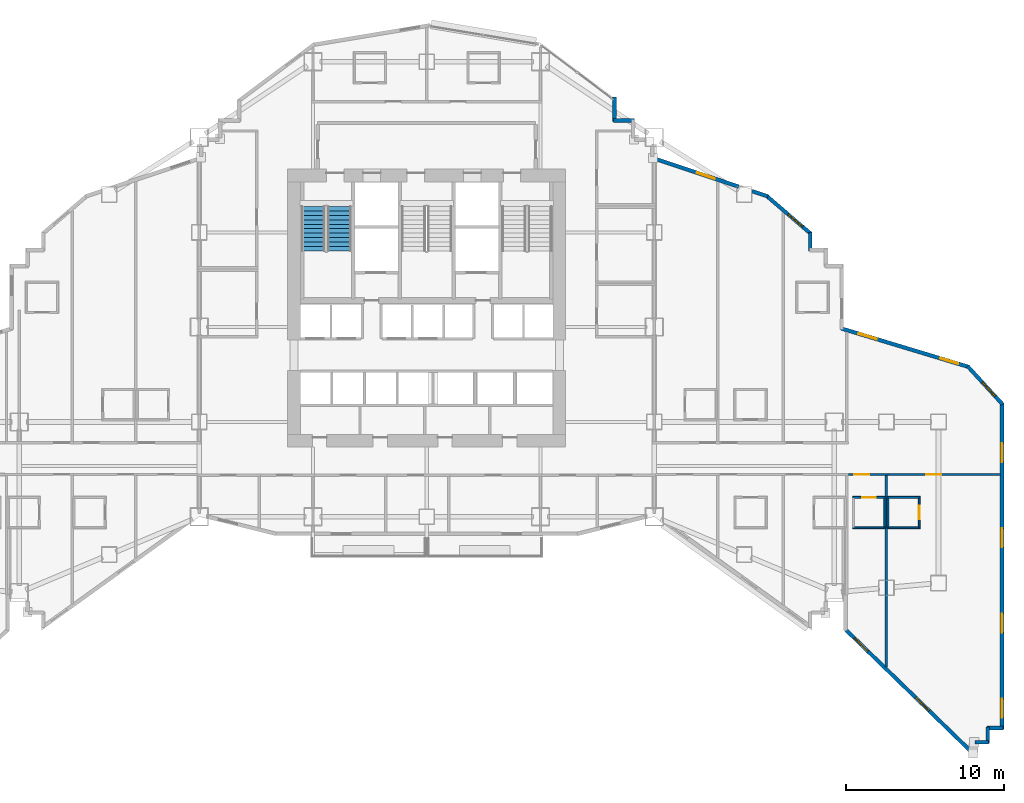
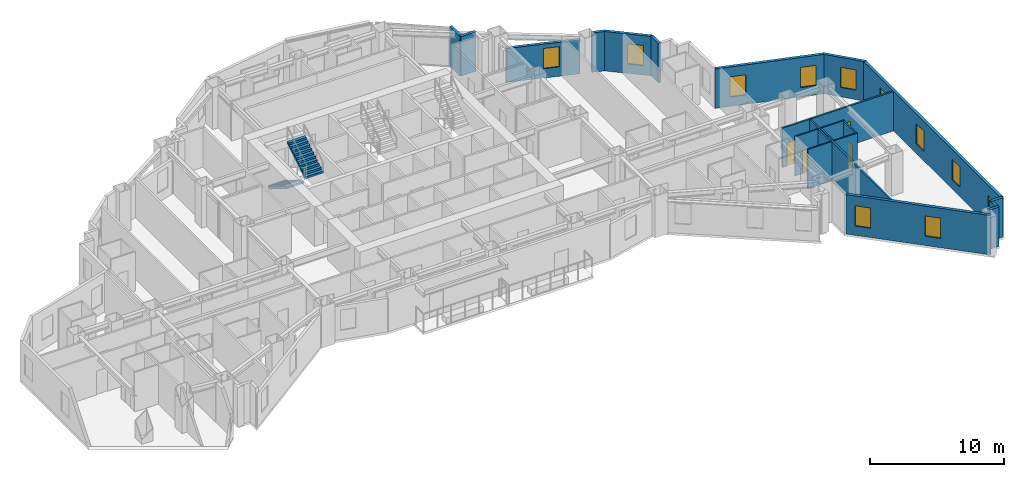
# One storey, part 12 of 18: 23 walls, 11 windows, 4 doors, 2 stair flights, 15 openings, 1 element without a shape of its own.
"""IFC4 building model written with IfcOpenShell, lengths in metres."""

from ifc_helpers import new_model, si_unit, direction, frame, frame_2d, origin, place, context, subcontext, project, spatial, polyline, rectangle, outline, extrude, material, layer, layer_set, type_object, element, fill, aggregate, save


model = new_model("IFC4")

# Units and contexts
model_context = context("Model", 3, precision=1e-05, world=origin(), true_north=direction((0.0, 1.0)))
body_context = subcontext(model_context, "Body", "Model", "MODEL_VIEW")
ifc_project = project(units=[si_unit("LENGTHUNIT", "METRE"), si_unit("AREAUNIT", "SQUARE_METRE"), si_unit("VOLUMEUNIT", "CUBIC_METRE"), si_unit("PLANEANGLEUNIT", "RADIAN"), si_unit("MASSUNIT", "GRAM", prefix="KILO")], contexts=[model_context])

# Site, building, storey
site_placement = place(None, origin())
site = spatial("IfcSite", under=ifc_project, at=site_placement, CompositionType="ELEMENT")
building_placement = place(site_placement, origin())
building = spatial("IfcBuilding", under=site, at=building_placement, Name="Haolan Belvedere Tower", CompositionType="ELEMENT")
storey_placement = place(building_placement, frame((0.0, 0.0, 51.39990234375)))
storey = spatial("IfcBuildingStorey", under=building, at=storey_placement, Name="L12", CompositionType="ELEMENT", Elevation=51.39990234375)

# Wall, openings, windows
ifc_material_1 = material(Name="Precast concrete C40/50", Category="concrete")
ifc_layer_1 = layer(ifc_material_1, 0.239990234375, Name="Precast concrete C40/50")
ifc_layer_set_1 = layer_set([ifc_layer_1], Name="Precast concrete C40/50")
wall_type_1 = type_object("IfcWallType", Name="WL-EXT-240", PredefinedType="SOLIDWALL", material=ifc_layer_set_1)
wall_1_placement = place(storey_placement, frame((64.966796875, 14.405517578125, 0.0), z_axis=(0.0, 0.0, 1.0), x_axis=(0.717210236805, -0.696856854901, 0.0)))
wall_1 = element("IfcWall", 1, at=wall_1_placement, inside=storey, type_object=wall_type_1, Name="L12 pale-metal exterior spandrel wall 21.1", PredefinedType="SOLIDWALL", context=body_context, shape_type="SweptSolid", body=[
    extrude(rectangle(XDim=11.1435546875, YDim=0.239990234375, at=frame_2d((5.57177734375, 0.0))), origin(), (0.0, 0.0, 1.0), 3.60009765625),
])
opening_1_placement = place(wall_1_placement, frame((0.699951171875, 0.0, 0.85009765625)))
opening_1 = element("IfcOpeningElement", 2, at=opening_1_placement, cuts=wall_1, Name="Opening W-01", PredefinedType="OPENING", context=body_context, shape_type="SweptSolid", body=[
    extrude(rectangle(XDim=1.199951171875, YDim=1.85009765625, at=frame_2d((0.60009765625, 0.925048828125))), frame((0.0, 0.1298828125, 0.0), z_axis=(0.0, -1.0, 0.0), x_axis=(1.0, 0.0, 0.0)), (0.0, 0.0, 1.0), 0.260009765625),
])
opening_2_placement = place(wall_1_placement, frame((6.10009765625, 0.0, 0.85009765625)))
opening_2 = element("IfcOpeningElement", 3, at=opening_2_placement, cuts=wall_1, Name="Opening W-01", PredefinedType="OPENING", context=body_context, shape_type="SweptSolid", body=[
    extrude(rectangle(XDim=1.199951171875, YDim=1.85009765625, at=frame_2d((0.60009765625, 0.925048828125))), frame((0.0, 0.1298828125, 0.0), z_axis=(0.0, -1.0, 0.0), x_axis=(1.0, 0.0, 0.0)), (0.0, 0.0, 1.0), 0.260009765625),
])
ifc_material_2 = material(Name="Anodised aluminium 6063-T6 and Low-E glass", Category="aluminium")
window_type = type_object("IfcWindowType", Name="WN-DECO-Z1", PartitioningType="SINGLE_PANEL", PredefinedType="WINDOW", material=ifc_material_2)
window_1_placement = place(opening_1_placement, origin())
window_1 = element("IfcWindow", 4, at=window_1_placement, inside=storey, type_object=window_type, Name="L12 Art Deco chevron window 1", OverallHeight=1.85009765625, OverallWidth=1.199951171875, PartitioningType="SINGLE_PANEL", PredefinedType="WINDOW", context=body_context, shape_type="SweptSolid", body=[
    extrude(rectangle(XDim=1.199951171875, YDim=1.85009765625, at=frame_2d((0.60009765625, 0.925048828125))), frame((0.0, 0.030029296875, 0.0), z_axis=(0.0, -1.0, 0.0), x_axis=(1.0, 0.0, 0.0)), (0.0, 0.0, 1.0), 0.06005859375),
])
fill(opening_1, window_1)
window_2_placement = place(opening_2_placement, origin())
window_2 = element("IfcWindow", 5, at=window_2_placement, inside=storey, type_object=window_type, Name="L12 Art Deco chevron window 2", OverallHeight=1.85009765625, OverallWidth=1.199951171875, PartitioningType="SINGLE_PANEL", PredefinedType="WINDOW", context=body_context, shape_type="SweptSolid", body=[
    extrude(rectangle(XDim=1.199951171875, YDim=1.85009765625, at=frame_2d((0.60009765625, 0.925048828125))), frame((0.0, 0.030029296875, 0.0), z_axis=(0.0, -1.0, 0.0), x_axis=(1.0, 0.0, 0.0)), (0.0, 0.0, 1.0), 0.06005859375),
])
fill(opening_2, window_2)

# Walls
wall_2_placement = place(storey_placement, frame((73.10498046875, 7.31689453125, 0.0), z_axis=(0.0, 0.0, 1.0), x_axis=(1.0, 0.0, 0.0)))
element("IfcWall", 6, at=wall_2_placement, inside=storey, type_object=wall_type_1, Name="L12 pale-metal exterior spandrel wall 23.1", PredefinedType="SOLIDWALL", context=body_context, shape_type="SweptSolid", body=[
    extrude(rectangle(XDim=0.8701171875, YDim=0.239990234375, at=frame_2d((0.43505859375, 0.0))), origin(), (0.0, 0.0, 1.0), 3.60009765625),
])
for number, where, z_axis, x_axis, name in (
    (7, (73.919921875, 7.261962890625, 0.0), (0.0, 0.0, 1.0), (0.0, 1.0, 0.0), "L12 pale-metal exterior spandrel wall 24.1"),
    (8, (73.864990234375, 8.217041015625, 0.0), (0.0, 0.0, 1.0), (1.0, 0.0, 0.0), "L12 pale-metal exterior spandrel wall 25.1"),
):
    element("IfcWall", number, at=place(storey_placement, frame(where, z_axis=z_axis, x_axis=x_axis)), inside=storey, type_object=wall_type_1, Name=name, PredefinedType="SOLIDWALL", context=body_context, shape_type="SweptSolid", body=[
        extrude(rectangle(XDim=1.010009765625, YDim=0.239990234375, at=frame_2d((0.5048828125, 0.0))), origin(), (0.0, 0.0, 1.0), 3.60009765625),
    ])

# Wall, openings, windows
wall_3_placement = place(storey_placement, frame((74.820068359375, 8.162109375, 0.0), z_axis=(0.0, 0.0, 1.0), x_axis=(0.0, 1.0, 0.0)))
wall_3 = element("IfcWall", 9, at=wall_3_placement, inside=storey, type_object=wall_type_1, Name="L12 pale-metal exterior spandrel wall 26.1", PredefinedType="SOLIDWALL", context=body_context, shape_type="SweptSolid", body=[
    extrude(rectangle(XDim=20.646240234375, YDim=0.239990234375, at=frame_2d((10.3232421875, 0.0))), origin(), (0.0, 0.0, 1.0), 3.60009765625),
])
opening_3_placement = place(wall_3_placement, frame((0.699951171875, 0.0, 0.85009765625)))
opening_3 = element("IfcOpeningElement", 10, at=opening_3_placement, cuts=wall_3, Name="Opening W-01", PredefinedType="OPENING", context=body_context, shape_type="SweptSolid", body=[
    extrude(rectangle(XDim=1.199951171875, YDim=1.85009765625, at=frame_2d((0.60009765625, 0.925048828125))), frame((0.0, 0.1298828125, 0.0), z_axis=(0.0, -1.0, 0.0), x_axis=(1.0, 0.0, 0.0)), (0.0, 0.0, 1.0), 0.260009765625),
])
opening_4_placement = place(wall_3_placement, frame((6.10009765625, 0.0, 0.85009765625)))
opening_4 = element("IfcOpeningElement", 11, at=opening_4_placement, cuts=wall_3, Name="Opening W-01", PredefinedType="OPENING", context=body_context, shape_type="SweptSolid", body=[
    extrude(rectangle(XDim=1.199951171875, YDim=1.85009765625, at=frame_2d((0.60009765625, 0.925048828125))), frame((0.0, 0.1298828125, 0.0), z_axis=(0.0, -1.0, 0.0), x_axis=(1.0, 0.0, 0.0)), (0.0, 0.0, 1.0), 0.260009765625),
])
opening_5_placement = place(wall_3_placement, frame((11.5, 0.0, 0.85009765625)))
opening_5 = element("IfcOpeningElement", 12, at=opening_5_placement, cuts=wall_3, Name="Opening W-01", PredefinedType="OPENING", context=body_context, shape_type="SweptSolid", body=[
    extrude(rectangle(XDim=1.199951171875, YDim=1.85009765625, at=frame_2d((0.60009765625, 0.925048828125))), frame((0.0, 0.1298828125, 0.0), z_axis=(0.0, -1.0, 0.0), x_axis=(1.0, 0.0, 0.0)), (0.0, 0.0, 1.0), 0.260009765625),
])
opening_6_placement = place(wall_3_placement, frame((16.89990234375, 0.0, 0.85009765625)))
opening_6 = element("IfcOpeningElement", 13, at=opening_6_placement, cuts=wall_3, Name="Opening W-01", PredefinedType="OPENING", context=body_context, shape_type="SweptSolid", body=[
    extrude(rectangle(XDim=1.199951171875, YDim=1.85009765625, at=frame_2d((0.60009765625, 0.925048828125))), frame((0.0, 0.1298828125, 0.0), z_axis=(0.0, -1.0, 0.0), x_axis=(1.0, 0.0, 0.0)), (0.0, 0.0, 1.0), 0.260009765625),
])
window_3_placement = place(opening_3_placement, origin())
window_3 = element("IfcWindow", 14, at=window_3_placement, inside=storey, type_object=window_type, Name="L12 Art Deco chevron window 1", OverallHeight=1.85009765625, OverallWidth=1.199951171875, PartitioningType="SINGLE_PANEL", PredefinedType="WINDOW", context=body_context, shape_type="SweptSolid", body=[
    extrude(rectangle(XDim=1.199951171875, YDim=1.85009765625, at=frame_2d((0.60009765625, 0.925048828125))), frame((0.0, 0.030029296875, 0.0), z_axis=(0.0, -1.0, 0.0), x_axis=(1.0, 0.0, 0.0)), (0.0, 0.0, 1.0), 0.06005859375),
])
fill(opening_3, window_3)
window_4_placement = place(opening_4_placement, origin())
window_4 = element("IfcWindow", 15, at=window_4_placement, inside=storey, type_object=window_type, Name="L12 Art Deco chevron window 2", OverallHeight=1.85009765625, OverallWidth=1.199951171875, PartitioningType="SINGLE_PANEL", PredefinedType="WINDOW", context=body_context, shape_type="SweptSolid", body=[
    extrude(rectangle(XDim=1.199951171875, YDim=1.85009765625, at=frame_2d((0.60009765625, 0.925048828125))), frame((0.0, 0.030029296875, 0.0), z_axis=(0.0, -1.0, 0.0), x_axis=(1.0, 0.0, 0.0)), (0.0, 0.0, 1.0), 0.06005859375),
])
fill(opening_4, window_4)
window_5_placement = place(opening_5_placement, origin())
window_5 = element("IfcWindow", 16, at=window_5_placement, inside=storey, type_object=window_type, Name="L12 Art Deco chevron window 3", OverallHeight=1.85009765625, OverallWidth=1.199951171875, PartitioningType="SINGLE_PANEL", PredefinedType="WINDOW", context=body_context, shape_type="SweptSolid", body=[
    extrude(rectangle(XDim=1.199951171875, YDim=1.85009765625, at=frame_2d((0.60009765625, 0.925048828125))), frame((0.0, 0.030029296875, 0.0), z_axis=(0.0, -1.0, 0.0), x_axis=(1.0, 0.0, 0.0)), (0.0, 0.0, 1.0), 0.06005859375),
])
fill(opening_5, window_5)
window_6_placement = place(opening_6_placement, origin())
window_6 = element("IfcWindow", 17, at=window_6_placement, inside=storey, type_object=window_type, Name="L12 Art Deco chevron window 4", OverallHeight=1.85009765625, OverallWidth=1.199951171875, PartitioningType="SINGLE_PANEL", PredefinedType="WINDOW", context=body_context, shape_type="SweptSolid", body=[
    extrude(rectangle(XDim=1.199951171875, YDim=1.85009765625, at=frame_2d((0.60009765625, 0.925048828125))), frame((0.0, 0.030029296875, 0.0), z_axis=(0.0, -1.0, 0.0), x_axis=(1.0, 0.0, 0.0)), (0.0, 0.0, 1.0), 0.06005859375),
])
fill(opening_6, window_6)

# Wall, opening, window
wall_4_placement = place(storey_placement, frame((74.857177734375, 28.712890625, 0.0), z_axis=(0.0, 0.0, 1.0), x_axis=(-0.675717899837, 0.737160308101, 0.0)))
wall_4 = element("IfcWall", 18, at=wall_4_placement, inside=storey, type_object=wall_type_1, Name="L12 pale-metal exterior spandrel wall 27.1", PredefinedType="SOLIDWALL", context=body_context, shape_type="SweptSolid", body=[
    extrude(rectangle(XDim=3.2861328125, YDim=0.239990234375, at=frame_2d((1.64306640625, 0.0))), origin(), (0.0, 0.0, 1.0), 3.60009765625),
])
opening_7_placement = place(wall_4_placement, frame((0.699951171875, 0.0, 0.85009765625)))
opening_7 = element("IfcOpeningElement", 19, at=opening_7_placement, cuts=wall_4, Name="Opening W-01", PredefinedType="OPENING", context=body_context, shape_type="SweptSolid", body=[
    extrude(rectangle(XDim=1.199951171875, YDim=1.85009765625, at=frame_2d((0.60009765625, 0.925048828125))), frame((0.0, 0.1298828125, 0.0), z_axis=(0.0, -1.0, 0.0), x_axis=(1.0, 0.0, 0.0)), (0.0, 0.0, 1.0), 0.260009765625),
])
window_7_placement = place(opening_7_placement, origin())
window_7 = element("IfcWindow", 20, at=window_7_placement, inside=storey, type_object=window_type, Name="L12 Art Deco chevron window 1", OverallHeight=1.85009765625, OverallWidth=1.199951171875, PartitioningType="SINGLE_PANEL", PredefinedType="WINDOW", context=body_context, shape_type="SweptSolid", body=[
    extrude(rectangle(XDim=1.199951171875, YDim=1.85009765625, at=frame_2d((0.60009765625, 0.925048828125))), frame((0.0, 0.030029296875, 0.0), z_axis=(0.0, -1.0, 0.0), x_axis=(1.0, 0.0, 0.0)), (0.0, 0.0, 1.0), 0.06005859375),
])
fill(opening_7, window_7)

# Wall, openings, windows
wall_5_placement = place(storey_placement, frame((72.726318359375, 31.078857421875, 0.0), z_axis=(0.0, 0.0, 1.0), x_axis=(-0.957227783965, 0.289335392935, 0.0)))
wall_5 = element("IfcWall", 21, at=wall_5_placement, inside=storey, type_object=wall_type_1, Name="L12 pale-metal exterior spandrel wall 28.1", PredefinedType="SOLIDWALL", context=body_context, shape_type="SweptSolid", body=[
    extrude(rectangle(XDim=8.460693359375, YDim=0.239990234375, at=frame_2d((4.23046875, 0.0))), origin(), (0.0, 0.0, 1.0), 3.60009765625),
])
opening_8_placement = place(wall_5_placement, frame((0.699951171875, 0.0, 0.85009765625)))
opening_8 = element("IfcOpeningElement", 22, at=opening_8_placement, cuts=wall_5, Name="Opening W-01", PredefinedType="OPENING", context=body_context, shape_type="SweptSolid", body=[
    extrude(rectangle(XDim=1.199951171875, YDim=1.85009765625, at=frame_2d((0.60009765625, 0.925048828125))), frame((0.0, 0.1298828125, 0.0), z_axis=(0.0, -1.0, 0.0), x_axis=(1.0, 0.0, 0.0)), (0.0, 0.0, 1.0), 0.260009765625),
])
opening_9_placement = place(wall_5_placement, frame((6.10009765625, 0.0, 0.85009765625)))
opening_9 = element("IfcOpeningElement", 23, at=opening_9_placement, cuts=wall_5, Name="Opening W-01", PredefinedType="OPENING", context=body_context, shape_type="SweptSolid", body=[
    extrude(rectangle(XDim=1.199951171875, YDim=1.85009765625, at=frame_2d((0.60009765625, 0.925048828125))), frame((0.0, 0.1298828125, 0.0), z_axis=(0.0, -1.0, 0.0), x_axis=(1.0, 0.0, 0.0)), (0.0, 0.0, 1.0), 0.260009765625),
])
window_8_placement = place(opening_8_placement, origin())
window_8 = element("IfcWindow", 24, at=window_8_placement, inside=storey, type_object=window_type, Name="L12 Art Deco chevron window 1", OverallHeight=1.85009765625, OverallWidth=1.199951171875, PartitioningType="SINGLE_PANEL", PredefinedType="WINDOW", context=body_context, shape_type="SweptSolid", body=[
    extrude(rectangle(XDim=1.199951171875, YDim=1.85009765625, at=frame_2d((0.60009765625, 0.925048828125))), frame((0.0, 0.030029296875, 0.0), z_axis=(0.0, -1.0, 0.0), x_axis=(1.0, 0.0, 0.0)), (0.0, 0.0, 1.0), 0.06005859375),
])
fill(opening_8, window_8)
window_9_placement = place(opening_9_placement, origin())
window_9 = element("IfcWindow", 25, at=window_9_placement, inside=storey, type_object=window_type, Name="L12 Art Deco chevron window 2", OverallHeight=1.85009765625, OverallWidth=1.199951171875, PartitioningType="SINGLE_PANEL", PredefinedType="WINDOW", context=body_context, shape_type="SweptSolid", body=[
    extrude(rectangle(XDim=1.199951171875, YDim=1.85009765625, at=frame_2d((0.60009765625, 0.925048828125))), frame((0.0, 0.030029296875, 0.0), z_axis=(0.0, -1.0, 0.0), x_axis=(1.0, 0.0, 0.0)), (0.0, 0.0, 1.0), 0.06005859375),
])
fill(opening_9, window_9)

# Wall
wall_6_placement = place(storey_placement, frame((62.679931640625, 38.425048828125, 0.0), z_axis=(0.0, 0.0, 1.0), x_axis=(0.0, 1.0, 0.0)))
element("IfcWall", 26, at=wall_6_placement, inside=storey, type_object=wall_type_1, Name="L12 pale-metal exterior spandrel wall 33.1", PredefinedType="SOLIDWALL", context=body_context, shape_type="SweptSolid", body=[
    extrude(rectangle(XDim=1.1748046875, YDim=0.239990234375, at=frame_2d((0.58740234375, 0.0))), origin(), (0.0, 0.0, 1.0), 3.60009765625),
])

# Wall, opening, window
wall_7_placement = place(storey_placement, frame((62.7216796875, 39.509033203125, 0.0), z_axis=(0.0, 0.0, 1.0), x_axis=(-0.759247334792, 0.650802185469, 0.0)))
wall_7 = element("IfcWall", 27, at=wall_7_placement, inside=storey, type_object=wall_type_1, Name="L12 pale-metal exterior spandrel wall 34.1", PredefinedType="SOLIDWALL", context=body_context, shape_type="SweptSolid", body=[
    extrude(rectangle(XDim=3.71923828125, YDim=0.239990234375, at=frame_2d((1.859619140625, 0.0))), origin(), (0.0, 0.0, 1.0), 3.60009765625),
])
opening_10_placement = place(wall_7_placement, frame((0.699951171875, 0.0, 0.85009765625)))
opening_10 = element("IfcOpeningElement", 28, at=opening_10_placement, cuts=wall_7, Name="Opening W-01", PredefinedType="OPENING", context=body_context, shape_type="SweptSolid", body=[
    extrude(rectangle(XDim=1.199951171875, YDim=1.85009765625, at=frame_2d((0.60009765625, 0.925048828125))), frame((0.0, 0.1298828125, 0.0), z_axis=(0.0, -1.0, 0.0), x_axis=(1.0, 0.0, 0.0)), (0.0, 0.0, 1.0), 0.260009765625),
])
window_10_placement = place(opening_10_placement, origin())
window_10 = element("IfcWindow", 29, at=window_10_placement, inside=storey, type_object=window_type, Name="L12 Art Deco chevron window 1", OverallHeight=1.85009765625, OverallWidth=1.199951171875, PartitioningType="SINGLE_PANEL", PredefinedType="WINDOW", context=body_context, shape_type="SweptSolid", body=[
    extrude(rectangle(XDim=1.199951171875, YDim=1.85009765625, at=frame_2d((0.60009765625, 0.925048828125))), frame((0.0, 0.030029296875, 0.0), z_axis=(0.0, -1.0, 0.0), x_axis=(1.0, 0.0, 0.0)), (0.0, 0.0, 1.0), 0.06005859375),
])
fill(opening_10, window_10)

# Wall
wall_8_placement = place(storey_placement, frame((59.991943359375, 41.876220703125, 0.0), z_axis=(0.0, 0.0, 1.0), x_axis=(-0.948706457285, 0.316158279832, 0.0)))
element("IfcWall", 30, at=wall_8_placement, inside=storey, type_object=wall_type_1, Name="L12 pale-metal exterior spandrel wall 35.1", PredefinedType="SOLIDWALL", context=body_context, shape_type="SweptSolid", body=[
    extrude(rectangle(XDim=1.053955078125, YDim=0.239990234375, at=frame_2d((0.52685546875, 0.0))), origin(), (0.0, 0.0, 1.0), 3.60009765625),
])

# Wall, opening, window
wall_9_placement = place(storey_placement, frame((58.14453125, 42.491943359375, 0.0), z_axis=(0.0, 0.0, 1.0), x_axis=(-0.948683298051, 0.316227766017, 0.0)))
wall_9 = element("IfcWall", 31, at=wall_9_placement, inside=storey, type_object=wall_type_1, Name="L12 pale-metal exterior spandrel wall 35.2", PredefinedType="SOLIDWALL", context=body_context, shape_type="SweptSolid", body=[
    extrude(rectangle(XDim=5.67529296875, YDim=0.239990234375, at=frame_2d((2.837646484375, 0.0))), origin(), (0.0, 0.0, 1.0), 3.09716796875),
])
opening_11_placement = place(wall_9_placement, frame((1.585693359375, 0.0, 0.85009765625)))
opening_11 = element("IfcOpeningElement", 32, at=opening_11_placement, cuts=wall_9, Name="Opening W-01", PredefinedType="OPENING", context=body_context, shape_type="SweptSolid", body=[
    extrude(rectangle(XDim=1.199951171875, YDim=1.85009765625, at=frame_2d((0.60009765625, 0.925048828125))), frame((0.0, 0.1298828125, 0.0), z_axis=(0.0, -1.0, 0.0), x_axis=(1.0, 0.0, 0.0)), (0.0, 0.0, 1.0), 0.260009765625),
])
window_11_placement = place(opening_11_placement, origin())
window_11 = element("IfcWindow", 33, at=window_11_placement, inside=storey, type_object=window_type, Name="L12 Art Deco chevron window 1", OverallHeight=1.85009765625, OverallWidth=1.199951171875, PartitioningType="SINGLE_PANEL", PredefinedType="WINDOW", context=body_context, shape_type="SweptSolid", body=[
    extrude(rectangle(XDim=1.199951171875, YDim=1.85009765625, at=frame_2d((0.60009765625, 0.925048828125))), frame((0.0, 0.030029296875, 0.0), z_axis=(0.0, -1.0, 0.0), x_axis=(1.0, 0.0, 0.0)), (0.0, 0.0, 1.0), 0.06005859375),
])
fill(opening_11, window_11)

# Walls
wall_10_placement = place(storey_placement, frame((51.534912109375, 46.679931640625, 0.0), z_axis=(0.0, 0.0, 1.0), x_axis=(-1.0, 0.0, 0.0)))
element("IfcWall", 34, at=wall_10_placement, inside=storey, type_object=wall_type_1, Name="L12 pale-metal exterior spandrel wall 39.1", PredefinedType="SOLIDWALL", context=body_context, shape_type="SweptSolid", body=[
    extrude(rectangle(XDim=1.309814453125, YDim=0.239990234375, at=frame_2d((0.65478515625, 0.0))), origin(), (0.0, 0.0, 1.0), 3.60009765625),
])
wall_11_placement = place(storey_placement, frame((50.280029296875, 46.625, 0.0), z_axis=(0.0, 0.0, 1.0), x_axis=(0.0, 1.0, 0.0)))
element("IfcWall", 35, at=wall_11_placement, inside=storey, type_object=wall_type_1, Name="L12 pale-metal exterior spandrel wall 40.1", PredefinedType="SOLIDWALL", context=body_context, shape_type="SweptSolid", body=[
    extrude(rectangle(XDim=1.5400390625, YDim=0.239990234375, at=frame_2d((0.77001953125, 0.0))), origin(), (0.0, 0.0, 1.0), 3.60009765625),
])

# Wall, opening, door
ifc_material_3 = material(Name="Double gypsum acoustic stud partition", Category="masonry")
ifc_layer_2 = layer(ifc_material_3, 0.14990234375, Name="Double gypsum acoustic stud partition")
ifc_layer_set_2 = layer_set([ifc_layer_2], Name="Double gypsum acoustic stud partition")
wall_type_2 = type_object("IfcWallType", Name="WL-PART-150", PredefinedType="PARTITIONING", material=ifc_layer_set_2)
wall_12_placement = place(storey_placement, frame((65.10205078125, 24.27001953125, 0.0), z_axis=(0.0, 0.0, 1.0), x_axis=(1.0, 0.0, 0.0)))
wall_12 = element("IfcWall", 36, at=wall_12_placement, inside=storey, type_object=wall_type_2, Name="L12 interior partition IW-L12-T5S1-N", PredefinedType="PARTITIONING", context=body_context, shape_type="SweptSolid", body=[
    extrude(rectangle(XDim=2.498046875, YDim=0.14990234375, at=frame_2d((1.2490234375, 0.0))), origin(), (0.0, 0.0, 1.0), 3.60009765625),
])
opening_12_placement = place(wall_12_placement, frame((1.311767578125, 0.0, 0.0), z_axis=(0.0, 0.0, 1.0), x_axis=(-1.0, 0.0, 0.0)))
opening_12 = element("IfcOpeningElement", 37, at=opening_12_placement, cuts=wall_12, Name="Opening ID-02", PredefinedType="OPENING", context=body_context, shape_type="SweptSolid", body=[
    extrude(rectangle(XDim=0.949951171875, YDim=2.14990234375, at=frame_2d((0.47509765625, 1.074951171875))), frame((0.0, 0.0849609375, 0.0), z_axis=(0.0, -1.0, 0.0), x_axis=(1.0, 0.0, 0.0)), (0.0, 0.0, 1.0), 0.169921875),
])
ifc_material_4 = material(Name="Acoustic oak veneer fire-rated timber", Category="wood")
door_type_1 = type_object("IfcDoorType", Name="DR-GUEST-950", OperationType="NOTDEFINED", PredefinedType="DOOR", material=ifc_material_4)
door_1_placement = place(opening_12_placement, origin())
door_1 = element("IfcDoor", 38, at=door_1_placement, inside=storey, type_object=door_type_1, Name="L12 door ID-L12-T5S1-ENT", OperationType="SINGLE_SWING_RIGHT", OverallHeight=2.14990234375, OverallWidth=0.949951171875, PredefinedType="DOOR", context=body_context, shape_type="SweptSolid", body=[
    extrude(rectangle(XDim=0.949951171875, YDim=2.14990234375, at=frame_2d((0.47509765625, 1.074951171875))), frame((0.0, 0.02490234375, 0.0), z_axis=(0.0, -1.0, 0.0), x_axis=(1.0, 0.0, 0.0)), (0.0, 0.0, 1.0), 0.050048828125),
])
fill(opening_12, door_1)

# Wall
wall_13_placement = place(storey_placement, frame((67.5, 12.090576171875, 0.0), z_axis=(0.0, 0.0, 1.0), x_axis=(0.0, 1.0, 0.0)))
element("IfcWall", 39, at=wall_13_placement, inside=storey, type_object=wall_type_2, Name="L12 interior partition IW-L12-T5S1-E", PredefinedType="PARTITIONING", context=body_context, shape_type="SweptSolid", body=[
    extrude(rectangle(XDim=12.119384765625, YDim=0.14990234375, at=frame_2d((6.0595703125, 0.0))), origin(), (0.0, 0.0, 1.0), 3.60009765625),
])

# Wall, opening, door
wall_14_placement = place(storey_placement, frame((67.60205078125, 24.27001953125, 0.0), z_axis=(0.0, 0.0, 1.0), x_axis=(1.0, 0.0, 0.0)))
wall_14 = element("IfcWall", 40, at=wall_14_placement, inside=storey, type_object=wall_type_2, Name="L12 interior partition IW-L12-T5S2-N", PredefinedType="PARTITIONING", context=body_context, shape_type="SweptSolid", body=[
    extrude(rectangle(XDim=7.113037109375, YDim=0.14990234375, at=frame_2d((3.556640625, 0.0))), origin(), (0.0, 0.0, 1.0), 3.60009765625),
])
opening_13_placement = place(wall_14_placement, frame((3.37939453125, 0.0, 0.0), z_axis=(0.0, 0.0, 1.0), x_axis=(-1.0, 0.0, 0.0)))
opening_13 = element("IfcOpeningElement", 41, at=opening_13_placement, cuts=wall_14, Name="Opening ID-01", PredefinedType="OPENING", context=body_context, shape_type="SweptSolid", body=[
    extrude(rectangle(XDim=0.949951171875, YDim=2.179931640625, at=frame_2d((0.47509765625, 1.08984375))), frame((0.0, 0.0849609375, 0.0), z_axis=(0.0, -1.0, 0.0), x_axis=(1.0, 0.0, 0.0)), (0.0, 0.0, 1.0), 0.169921875),
])
ifc_material_5 = material(Name="Acoustic walnut veneer fire-rated timber", Category="wood")
door_type_2 = type_object("IfcDoorType", Name="DR-SUITE-950", OperationType="NOTDEFINED", PredefinedType="DOOR", material=ifc_material_5)
door_2_placement = place(opening_13_placement, origin())
door_2 = element("IfcDoor", 42, at=door_2_placement, inside=storey, type_object=door_type_2, Name="L12 door ID-L12-T5S2-ENT", OperationType="SINGLE_SWING_LEFT", OverallHeight=2.179931640625, OverallWidth=0.949951171875, PredefinedType="DOOR", context=body_context, shape_type="SweptSolid", body=[
    extrude(rectangle(XDim=0.949951171875, YDim=2.179931640625, at=frame_2d((0.47509765625, 1.08984375))), frame((0.0, 0.02490234375, 0.0), z_axis=(0.0, -1.0, 0.0), x_axis=(1.0, 0.0, 0.0)), (0.0, 0.0, 1.0), 0.050048828125),
])
fill(opening_13, door_2)

ifc_material_6 = material(Name="Moisture-resistant gypsum tile partition", Category="masonry")
ifc_layer_3 = layer(ifc_material_6, 0.1201171875, Name="Moisture-resistant gypsum tile partition")
ifc_layer_set_3 = layer_set([ifc_layer_3], Name="Moisture-resistant gypsum tile partition")
wall_type_3 = type_object("IfcWallType", Name="WL-WET-120", PredefinedType="PARTITIONING", material=ifc_layer_set_3)
wall_15_placement = place(storey_placement, frame((65.360107421875, 22.820068359375, 0.0), z_axis=(0.0, 0.0, 1.0), x_axis=(1.0, 0.0, 0.0)))
wall_15 = element("IfcWall", 43, at=wall_15_placement, inside=storey, type_object=wall_type_3, Name="L12 interior partition IW-L12-T5S1-BN", PredefinedType="PARTITIONING", context=body_context, shape_type="SweptSolid", body=[
    extrude(rectangle(XDim=2.079833984375, YDim=0.1201171875, at=frame_2d((1.0400390625, 0.0))), origin(), (0.0, 0.0, 1.0), 3.60009765625),
])
opening_14_placement = place(wall_15_placement, frame((1.47509765625, 0.0, 0.0), z_axis=(0.0, 0.0, 1.0), x_axis=(-1.0, 0.0, 0.0)))
opening_14 = element("IfcOpeningElement", 44, at=opening_14_placement, cuts=wall_15, Name="Opening ID-05", PredefinedType="OPENING", context=body_context, shape_type="SweptSolid", body=[
    extrude(rectangle(XDim=0.85009765625, YDim=2.10009765625, at=frame_2d((0.425048828125, 1.050048828125))), frame((0.0, 0.070068359375, 0.0), z_axis=(0.0, -1.0, 0.0), x_axis=(1.0, 0.0, 0.0)), (0.0, 0.0, 1.0), 0.14013671875),
])
ifc_material_7 = material(Name="Moisture-resistant lacquered timber", Category="wood")
door_type_3 = type_object("IfcDoorType", Name="DR-BATH-850", OperationType="NOTDEFINED", PredefinedType="DOOR", material=ifc_material_7)
door_3_placement = place(opening_14_placement, origin())
door_3 = element("IfcDoor", 45, at=door_3_placement, inside=storey, type_object=door_type_3, Name="L12 door ID-L12-T5S1-BATH", OperationType="SINGLE_SWING_LEFT", OverallHeight=2.10009765625, OverallWidth=0.85009765625, PredefinedType="DOOR", context=body_context, shape_type="SweptSolid", body=[
    extrude(rectangle(XDim=0.85009765625, YDim=2.10009765625, at=frame_2d((0.425048828125, 1.050048828125))), frame((0.0, 0.02490234375, 0.0), z_axis=(0.0, -1.0, 0.0), x_axis=(1.0, 0.0, 0.0)), (0.0, 0.0, 1.0), 0.050048828125),
])
fill(opening_14, door_3)

# Walls
wall_16_placement = place(storey_placement, frame((65.360107421875, 20.89990234375, 0.0), z_axis=(0.0, 0.0, 1.0), x_axis=(1.0, 0.0, 0.0)))
element("IfcWall", 46, at=wall_16_placement, inside=storey, type_object=wall_type_3, Name="L12 interior partition IW-L12-T5S1-BS", PredefinedType="PARTITIONING", context=body_context, shape_type="SweptSolid", body=[
    extrude(rectangle(XDim=2.079833984375, YDim=0.1201171875, at=frame_2d((1.0400390625, 0.0))), origin(), (0.0, 0.0, 1.0), 3.60009765625),
])
wall_17_placement = place(storey_placement, frame((67.39990234375, 20.945068359375, 0.0), z_axis=(0.0, 0.0, 1.0), x_axis=(0.0, 1.0, 0.0)))
element("IfcWall", 47, at=wall_17_placement, inside=storey, type_object=wall_type_3, Name="L12 interior partition IW-L12-T5S1-BE", PredefinedType="PARTITIONING", context=body_context, shape_type="SweptSolid", body=[
    extrude(rectangle(XDim=1.829833984375, YDim=0.1201171875, at=frame_2d((0.9150390625, 0.0))), origin(), (0.0, 0.0, 1.0), 3.60009765625),
])
for number, where, z_axis, x_axis, name in (
    (48, (67.56005859375, 22.820068359375, 0.0), (0.0, 0.0, 1.0), (1.0, 0.0, 0.0), "L12 interior partition IW-L12-T5S2-BN"),
    (49, (67.56005859375, 20.89990234375, 0.0), (0.0, 0.0, 1.0), (1.0, 0.0, 0.0), "L12 interior partition IW-L12-T5S2-BS"),
):
    element("IfcWall", number, at=place(storey_placement, frame(where, z_axis=z_axis, x_axis=x_axis)), inside=storey, type_object=wall_type_3, Name=name, PredefinedType="PARTITIONING", context=body_context, shape_type="SweptSolid", body=[
        extrude(rectangle(XDim=2.079833984375, YDim=0.1201171875, at=frame_2d((1.0400390625, 0.0))), origin(), (0.0, 0.0, 1.0), 3.60009765625),
    ])
wall_18_placement = place(storey_placement, frame((67.60009765625, 20.945068359375, 0.0), z_axis=(0.0, 0.0, 1.0), x_axis=(0.0, 1.0, 0.0)))
element("IfcWall", 50, at=wall_18_placement, inside=storey, type_object=wall_type_3, Name="L12 interior partition IW-L12-T5S2-BW", PredefinedType="PARTITIONING", context=body_context, shape_type="SweptSolid", body=[
    extrude(rectangle(XDim=1.829833984375, YDim=0.1201171875, at=frame_2d((0.9150390625, 0.0))), origin(), (0.0, 0.0, 1.0), 3.60009765625),
])

# Wall, opening, door
wall_19_placement = place(storey_placement, frame((69.580078125, 20.945068359375, 0.0), z_axis=(0.0, 0.0, 1.0), x_axis=(0.0, 1.0, 0.0)))
wall_19 = element("IfcWall", 51, at=wall_19_placement, inside=storey, type_object=wall_type_3, Name="L12 interior partition IW-L12-T5S2-BE", PredefinedType="PARTITIONING", context=body_context, shape_type="SweptSolid", body=[
    extrude(rectangle(XDim=1.829833984375, YDim=0.1201171875, at=frame_2d((0.9150390625, 0.0))), origin(), (0.0, 0.0, 1.0), 3.60009765625),
])
opening_15_placement = place(wall_19_placement, frame((0.489990234375, 0.0, 0.0)))
opening_15 = element("IfcOpeningElement", 52, at=opening_15_placement, cuts=wall_19, Name="Opening ID-05", PredefinedType="OPENING", context=body_context, shape_type="SweptSolid", body=[
    extrude(rectangle(XDim=0.85009765625, YDim=2.10009765625, at=frame_2d((0.425048828125, 1.050048828125))), frame((0.0, 0.070068359375, 0.0), z_axis=(0.0, -1.0, 0.0), x_axis=(1.0, 0.0, 0.0)), (0.0, 0.0, 1.0), 0.14013671875),
])
door_4_placement = place(opening_15_placement, origin())
door_4 = element("IfcDoor", 53, at=door_4_placement, inside=storey, type_object=door_type_3, Name="L12 door ID-L12-T5S2-BATH", OperationType="SINGLE_SWING_RIGHT", OverallHeight=2.10009765625, OverallWidth=0.85009765625, PredefinedType="DOOR", context=body_context, shape_type="SweptSolid", body=[
    extrude(rectangle(XDim=0.85009765625, YDim=2.10009765625, at=frame_2d((0.425048828125, 1.050048828125))), frame((0.0, 0.02490234375, 0.0), z_axis=(0.0, -1.0, 0.0), x_axis=(1.0, 0.0, 0.0)), (0.0, 0.0, 1.0), 0.050048828125),
])
fill(opening_15, door_4)

# Stair, stair flights
ifc_material_8 = material(Name="Concrete C40/50", Category="concrete")
stair_type = type_object("IfcStairType", Name="STR-DL-22R-173", PredefinedType="HALF_TURN_STAIR", material=ifc_material_8)
stair_placement = place(storey_placement, origin())
stair = element("IfcStair", 54, at=stair_placement, inside=storey, type_object=stair_type, Name="L12 Smokeproof Core Exit Stair ST1", PredefinedType="HALF_TURN_STAIR")
stair_flight_type = type_object("IfcStairFlightType", Name="SFL-DL-11R-173", PredefinedType="STRAIGHT", material=ifc_material_8)
stair_flight_1_placement = place(storey_placement, frame((31.2099609375, 41.22998046875, 0.0), z_axis=(0.0, 0.0, 1.0), x_axis=(0.0, -1.0, 0.0)))
stair_flight_1 = element("IfcStairFlight", 55, at=stair_flight_1_placement, type_object=stair_flight_type, Name="ST1 flight 1", NumberOfRisers=11, NumberOfTreads=10, PredefinedType="STRAIGHT", RiserHeight=0.172727273, TreadLength=0.28, context=body_context, shape_type="SweptSolid", body=[
    extrude(outline(polyline([(0.0, 0.0), (0.0, 0.172607421875), (0.280029296875, 0.172607421875), (0.280029296875, 0.345458984375), (0.56005859375, 0.345458984375), (0.56005859375, 0.51806640625), (0.840087890625, 0.51806640625), (0.840087890625, 0.69091796875), (1.1201171875, 0.69091796875), (1.1201171875, 0.863525390625), (1.39990234375, 0.863525390625), (1.39990234375, 1.036376953125), (1.679931640625, 1.036376953125), (1.679931640625, 1.208984375), (1.9599609375, 1.208984375), (1.9599609375, 1.3818359375), (2.239990234375, 1.3818359375), (2.239990234375, 1.554443359375), (2.52001953125, 1.554443359375), (2.52001953125, 1.727294921875), (2.800048828125, 1.727294921875), (2.800048828125, 1.89990234375), (2.800048828125, 1.551025390625), (0.285400390625, 0.0), (0.0, 0.0)])), frame((0.0, 0.760009765625, 0.0), z_axis=(0.0, -1.0, 0.0), x_axis=(1.0, 0.0, 0.0)), (0.0, 0.0, 1.0), 1.52001953125),
])
stair_flight_2_placement = place(storey_placement, frame((32.8701171875, 38.429931640625, 1.900146484375), z_axis=(0.0, 0.0, 1.0), x_axis=(0.0, 1.0, 0.0)))
stair_flight_2 = element("IfcStairFlight", 56, at=stair_flight_2_placement, type_object=stair_flight_type, Name="ST1 flight 2", NumberOfRisers=11, NumberOfTreads=10, PredefinedType="STRAIGHT", RiserHeight=0.172727273, TreadLength=0.28, context=body_context, shape_type="SweptSolid", body=[
    extrude(outline(polyline([(0.0, 0.0), (0.0, 0.172607421875), (0.280029296875, 0.172607421875), (0.280029296875, 0.345458984375), (0.56005859375, 0.345458984375), (0.56005859375, 0.51806640625), (0.840087890625, 0.51806640625), (0.840087890625, 0.69091796875), (1.1201171875, 0.69091796875), (1.1201171875, 0.863525390625), (1.39990234375, 0.863525390625), (1.39990234375, 1.036376953125), (1.679931640625, 1.036376953125), (1.679931640625, 1.208984375), (1.9599609375, 1.208984375), (1.9599609375, 1.3818359375), (2.239990234375, 1.3818359375), (2.239990234375, 1.554443359375), (2.52001953125, 1.554443359375), (2.52001953125, 1.727294921875), (2.800048828125, 1.727294921875), (2.800048828125, 1.89990234375), (2.800048828125, 1.551025390625), (0.285400390625, 0.0), (0.0, 0.0)])), frame((0.0, 0.760009765625, 0.0), z_axis=(0.0, -1.0, 0.0), x_axis=(1.0, 0.0, 0.0)), (0.0, 0.0, 1.0), 1.52001953125),
])
aggregate(stair, [stair_flight_1, stair_flight_2])

save(model, "model.ifc")
